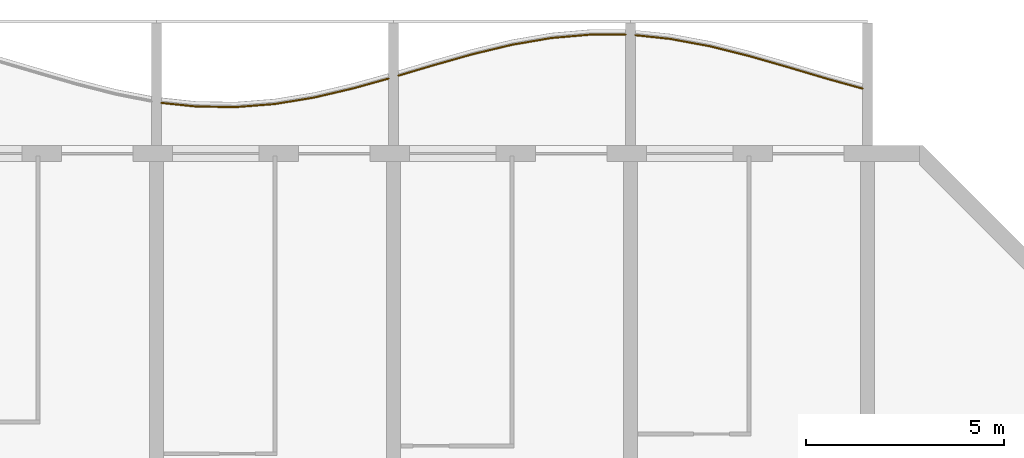
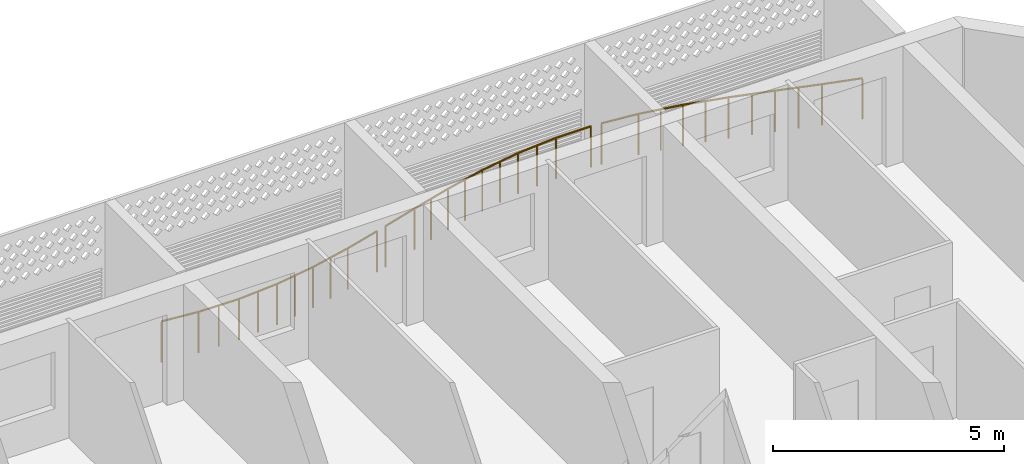
# One storey, part 25 of 26: 3 railings.
"""IFC4 building model written with IfcOpenShell, lengths in metres."""

from ifc_helpers import new_model, si_unit, direction, frame, origin, origin_2d, place, context, subcontext, project, spatial, circle, extrude, material, type_object, element, save


model = new_model("IFC4")

# Units and contexts
model_context = context("Model", 3, precision=1e-05, world=origin(), true_north=direction((0.0, 1.0)))
body_context = subcontext(model_context, "Body", "Model", "MODEL_VIEW")
ifc_project = project(units=[si_unit("LENGTHUNIT", "METRE"), si_unit("AREAUNIT", "SQUARE_METRE"), si_unit("VOLUMEUNIT", "CUBIC_METRE"), si_unit("PLANEANGLEUNIT", "RADIAN"), si_unit("MASSUNIT", "GRAM", prefix="KILO")], contexts=[model_context])

# Site, building, storey
site_placement = place(None, origin())
site = spatial("IfcSite", under=ifc_project, at=site_placement, CompositionType="ELEMENT")
building_placement = place(site_placement, origin())
building = spatial("IfcBuilding", under=site, at=building_placement, Name="Poui Terraces", CompositionType="ELEMENT")
storey_placement = place(building_placement, frame((0.0, 0.0, 96.0)))
storey = spatial("IfcBuildingStorey", under=building, at=storey_placement, Name="L26", CompositionType="ELEMENT", Elevation=96.0)

# Railings
ifc_material = material(Name="Painted steel fretwork", Category="steel")
railing_type = type_object("IfcRailingType", Name="BALCONY GUARD 1100", PredefinedType="GUARDRAIL", material=ifc_material)
railing_1_placement = place(storey_placement, frame((72.125, 44.8818359375, 0.0)))
element("IfcRailing", 1, at=railing_1_placement, inside=storey, type_object=railing_type, Name="BALCONY GUARD", PredefinedType="GUARDRAIL", context=body_context, shape_type="SweptSolid", body=[
    extrude(circle(Radius=0.02392578125, at=origin_2d()), frame((0.0, 0.0, 1.076171875), z_axis=(0.994684934875, -0.102965432712, 0.0), x_axis=(0.102965432712, 0.994684934875, 0.0)), (0.0, 0.0, 1.0), 0.879638671875),
    extrude(circle(Radius=0.02392578125, at=origin_2d()), frame((0.875, -0.090576171875, 1.076171875), z_axis=(0.999874108965, -0.015867142842, 0.0), x_axis=(0.015867142842, 0.999874108965, 0.0)), (0.0, 0.0, 1.0), 1.000244140625),
    extrude(circle(Radius=0.02392578125, at=origin_2d()), frame((1.875, -0.1064453125, 1.076171875), z_axis=(0.996924225014, 0.078371484486, 0.0), x_axis=(-0.078371484486, 0.996924225014, 0.0)), (0.0, 0.0, 1.0), 1.003173828125),
    extrude(circle(Radius=0.02392578125, at=origin_2d()), frame((2.875, -0.02783203125, 1.076171875), z_axis=(0.986614372238, 0.163070783693, 0.0), x_axis=(-0.163070783693, 0.986614372238, 0.0)), (0.0, 0.0, 1.0), 1.013671875),
    extrude(circle(Radius=0.02392578125, at=origin_2d()), frame((3.875, 0.137451171875, 1.076171875), z_axis=(0.973510598085, 0.228641893398, 0.0), x_axis=(-0.228641893398, 0.973510598085, 0.0)), (0.0, 0.0, 1.0), 1.027099609375),
    extrude(circle(Radius=0.02392578125, at=origin_2d()), frame((4.875, 0.372314453125, 1.076171875), z_axis=(0.963348277861, 0.268253789427, 0.0), x_axis=(-0.268253789427, 0.963348277861, 0.0)), (0.0, 0.0, 1.0), 0.908203125),
    extrude(circle(Radius=0.02099609375, at=origin_2d()), origin(), (0.0, 0.0, 1.0), 1.052001953125),
    extrude(circle(Radius=0.02099609375, at=origin_2d()), frame((0.875, -0.090576171875, 0.0)), (0.0, 0.0, 1.0), 1.052001953125),
    extrude(circle(Radius=0.02099609375, at=origin_2d()), frame((1.375, -0.0986328125, 0.0)), (0.0, 0.0, 1.0), 1.052001953125),
    extrude(circle(Radius=0.02099609375, at=origin_2d()), frame((1.875, -0.1064453125, 0.0)), (0.0, 0.0, 1.0), 1.052001953125),
    extrude(circle(Radius=0.02099609375, at=origin_2d()), frame((2.375, -0.067138671875, 0.0)), (0.0, 0.0, 1.0), 1.052001953125),
    extrude(circle(Radius=0.02099609375, at=origin_2d()), frame((2.875, -0.02783203125, 0.0)), (0.0, 0.0, 1.0), 1.052001953125),
    extrude(circle(Radius=0.02099609375, at=origin_2d()), frame((3.375, 0.0546875, 0.0)), (0.0, 0.0, 1.0), 1.052001953125),
    extrude(circle(Radius=0.02099609375, at=origin_2d()), frame((3.875, 0.137451171875, 0.0)), (0.0, 0.0, 1.0), 1.052001953125),
    extrude(circle(Radius=0.02099609375, at=origin_2d()), frame((4.375, 0.2548828125, 0.0)), (0.0, 0.0, 1.0), 1.052001953125),
    extrude(circle(Radius=0.02099609375, at=origin_2d()), frame((4.875, 0.372314453125, 0.0)), (0.0, 0.0, 1.0), 1.052001953125),
    extrude(circle(Radius=0.02099609375, at=origin_2d()), frame((5.75, 0.615966796875, 0.0)), (0.0, 0.0, 1.0), 1.052001953125),
])
railing_2_placement = place(storey_placement, frame((78.125, 45.5712890625, 0.0)))
element("IfcRailing", 2, at=railing_2_placement, inside=storey, type_object=railing_type, Name="BALCONY GUARD", PredefinedType="GUARDRAIL", context=body_context, shape_type="SweptSolid", body=[
    extrude(circle(Radius=0.02392578125, at=origin_2d()), frame((0.0, 0.0, 1.076171875), z_axis=(0.958646866278, 0.284598288426, 0.0), x_axis=(-0.284598288426, 0.958646866278, 0.0)), (0.0, 0.0, 1.0), 0.912841796875),
    extrude(circle(Radius=0.02392578125, at=origin_2d()), frame((0.875, 0.259765625, 1.076171875), z_axis=(0.962282666556, 0.272051593719, 0.0), x_axis=(-0.272051593719, 0.962282666556, 0.0)), (0.0, 0.0, 1.0), 1.039306640625),
    extrude(circle(Radius=0.02392578125, at=origin_2d()), frame((1.875, 0.54248046875, 1.076171875), z_axis=(0.972443304839, 0.233139483729, 0.0), x_axis=(-0.233139483729, 0.972443304839, 0.0)), (0.0, 0.0, 1.0), 1.0283203125),
    extrude(circle(Radius=0.02392578125, at=origin_2d()), frame((2.875, 0.7822265625, 1.076171875), z_axis=(0.98554889076, 0.169391215599, 0.0), x_axis=(-0.169391215599, 0.98554889076, 0.0)), (0.0, 0.0, 1.0), 1.0146484375),
    extrude(circle(Radius=0.02392578125, at=origin_2d()), frame((3.875, 0.9541015625, 1.076171875), z_axis=(0.996286084847, 0.086104803231, 0.0), x_axis=(-0.086104803231, 0.996286084847, 0.0)), (0.0, 0.0, 1.0), 1.003662109375),
    extrude(circle(Radius=0.02392578125, at=origin_2d()), frame((4.875, 1.04052734375, 1.076171875), z_axis=(0.999997508778, -0.002232137296, 0.0), x_axis=(0.002232137296, 0.999997508778, 0.0)), (0.0, 0.0, 1.0), 0.875),
    extrude(circle(Radius=0.02099609375, at=origin_2d()), origin(), (0.0, 0.0, 1.0), 1.052001953125),
    extrude(circle(Radius=0.02099609375, at=origin_2d()), frame((0.875, 0.259765625, 0.0)), (0.0, 0.0, 1.0), 1.052001953125),
    extrude(circle(Radius=0.02099609375, at=origin_2d()), frame((1.375, 0.401123046875, 0.0)), (0.0, 0.0, 1.0), 1.052001953125),
    extrude(circle(Radius=0.02099609375, at=origin_2d()), frame((1.875, 0.54248046875, 0.0)), (0.0, 0.0, 1.0), 1.052001953125),
    extrude(circle(Radius=0.02099609375, at=origin_2d()), frame((2.375, 0.662353515625, 0.0)), (0.0, 0.0, 1.0), 1.052001953125),
    extrude(circle(Radius=0.02099609375, at=origin_2d()), frame((2.875, 0.7822265625, 0.0)), (0.0, 0.0, 1.0), 1.052001953125),
    extrude(circle(Radius=0.02099609375, at=origin_2d()), frame((3.375, 0.8681640625, 0.0)), (0.0, 0.0, 1.0), 1.052001953125),
    extrude(circle(Radius=0.02099609375, at=origin_2d()), frame((3.875, 0.9541015625, 0.0)), (0.0, 0.0, 1.0), 1.052001953125),
    extrude(circle(Radius=0.02099609375, at=origin_2d()), frame((4.375, 0.997314453125, 0.0)), (0.0, 0.0, 1.0), 1.052001953125),
    extrude(circle(Radius=0.02099609375, at=origin_2d()), frame((4.875, 1.04052734375, 0.0)), (0.0, 0.0, 1.0), 1.052001953125),
    extrude(circle(Radius=0.02099609375, at=origin_2d()), frame((5.75, 1.03857421875, 0.0)), (0.0, 0.0, 1.0), 1.052001953125),
])
railing_3_placement = place(storey_placement, frame((84.125, 46.595947265625, 0.0)))
element("IfcRailing", 3, at=railing_3_placement, inside=storey, type_object=railing_type, Name="BALCONY GUARD", PredefinedType="GUARDRAIL", context=body_context, shape_type="SweptSolid", body=[
    extrude(circle(Radius=0.02392578125, at=origin_2d()), frame((0.0, 0.0, 1.076171875), z_axis=(0.99430915392, -0.106533123634, 0.0), x_axis=(0.106533123634, 0.99430915392, 0.0)), (0.0, 0.0, 1.0), 0.880126953125),
    extrude(circle(Radius=0.02392578125, at=origin_2d()), frame((0.875, -0.09375, 1.076171875), z_axis=(0.983390092547, -0.181504616691, 0.0), x_axis=(0.181504616691, 0.983390092547, 0.0)), (0.0, 0.0, 1.0), 1.016845703125),
    extrude(circle(Radius=0.02392578125, at=origin_2d()), frame((1.875, -0.2783203125, 1.076171875), z_axis=(0.970476070643, -0.241197421854, 0.0), x_axis=(0.241197421854, 0.970476070643, 0.0)), (0.0, 0.0, 1.0), 1.030517578125),
    extrude(circle(Radius=0.02392578125, at=origin_2d()), frame((2.875, -0.52685546875, 1.076171875), z_axis=(0.961106681232, -0.276177383743, 0.0), x_axis=(0.276177383743, 0.961106681232, 0.0)), (0.0, 0.0, 1.0), 1.04052734375),
    extrude(circle(Radius=0.02392578125, at=origin_2d()), frame((3.875, -0.814208984375, 1.076171875), z_axis=(0.958838249952, -0.283952831346, 0.0), x_axis=(0.283952831346, 0.958838249952, 0.0)), (0.0, 0.0, 1.0), 1.04296875),
    extrude(circle(Radius=0.02392578125, at=origin_2d()), frame((4.875, -1.1103515625, 1.076171875), z_axis=(0.963764063419, -0.266756124696, 0.0), x_axis=(0.266756124696, 0.963764063419, 0.0)), (0.0, 0.0, 1.0), 0.907958984375),
    extrude(circle(Radius=0.02099609375, at=origin_2d()), origin(), (0.0, 0.0, 1.0), 1.052001953125),
    extrude(circle(Radius=0.02099609375, at=origin_2d()), frame((0.875, -0.09375, 0.0)), (0.0, 0.0, 1.0), 1.052001953125),
    extrude(circle(Radius=0.02099609375, at=origin_2d()), frame((1.375, -0.18603515625, 0.0)), (0.0, 0.0, 1.0), 1.052001953125),
    extrude(circle(Radius=0.02099609375, at=origin_2d()), frame((1.875, -0.2783203125, 0.0)), (0.0, 0.0, 1.0), 1.052001953125),
    extrude(circle(Radius=0.02099609375, at=origin_2d()), frame((2.375, -0.402587890625, 0.0)), (0.0, 0.0, 1.0), 1.052001953125),
    extrude(circle(Radius=0.02099609375, at=origin_2d()), frame((2.875, -0.52685546875, 0.0)), (0.0, 0.0, 1.0), 1.052001953125),
    extrude(circle(Radius=0.02099609375, at=origin_2d()), frame((3.375, -0.67041015625, 0.0)), (0.0, 0.0, 1.0), 1.052001953125),
    extrude(circle(Radius=0.02099609375, at=origin_2d()), frame((3.875, -0.814208984375, 0.0)), (0.0, 0.0, 1.0), 1.052001953125),
    extrude(circle(Radius=0.02099609375, at=origin_2d()), frame((4.375, -0.96240234375, 0.0)), (0.0, 0.0, 1.0), 1.052001953125),
    extrude(circle(Radius=0.02099609375, at=origin_2d()), frame((4.875, -1.1103515625, 0.0)), (0.0, 0.0, 1.0), 1.052001953125),
    extrude(circle(Radius=0.02099609375, at=origin_2d()), frame((5.75, -1.3525390625, 0.0)), (0.0, 0.0, 1.0), 1.052001953125),
])

save(model, "model.ifc")
